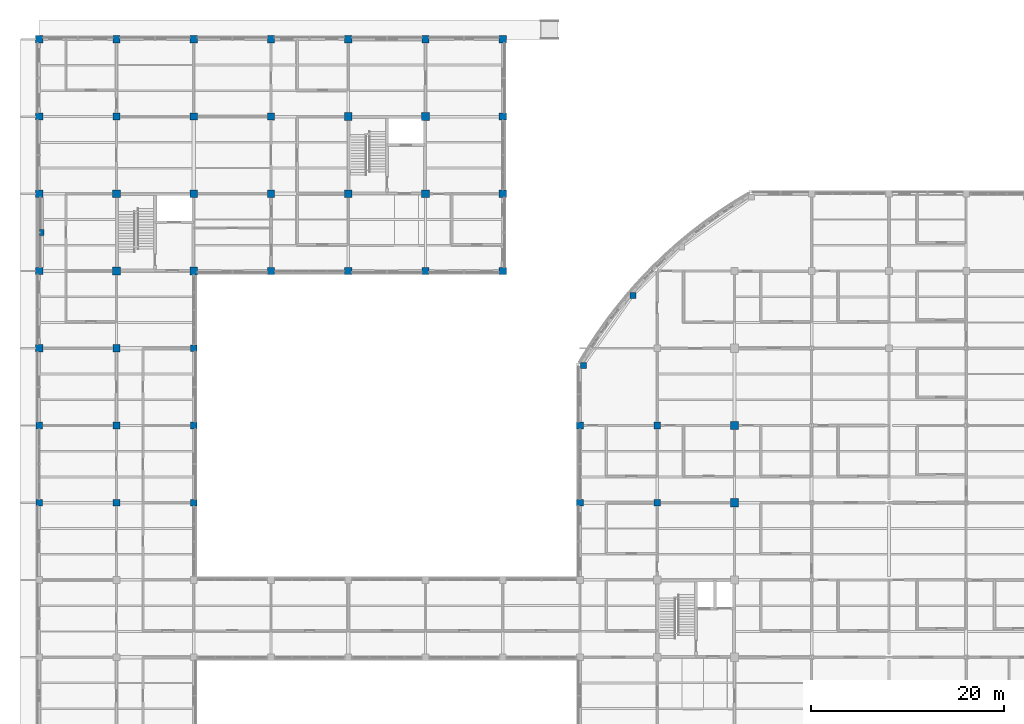
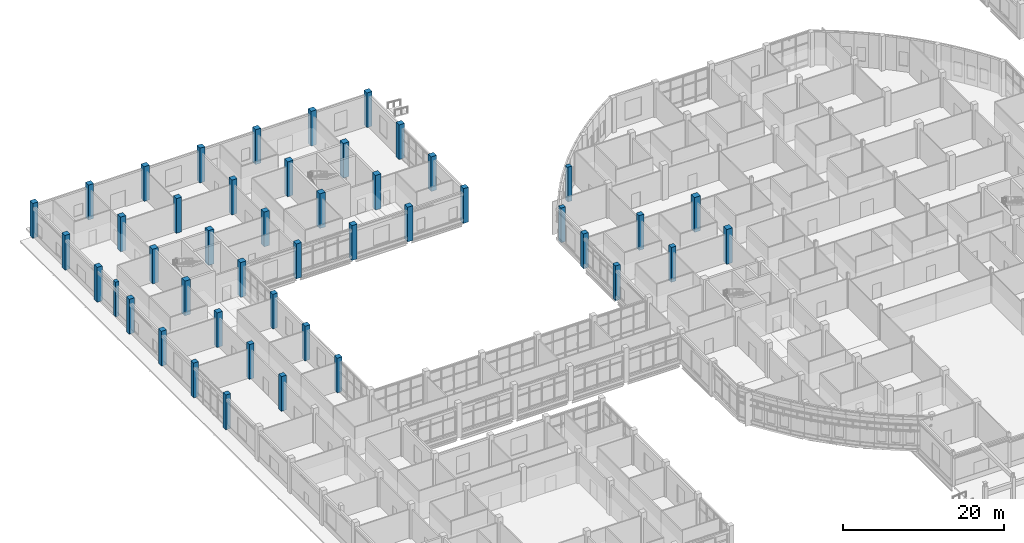
# One storey, part 5 of 105: 46 columns.
"""IFC4 building model written with IfcOpenShell, lengths in metres."""

from ifc_helpers import new_model, si_unit, derived_unit, direction, frame, origin, origin_2d, place, context, subcontext, project, spatial, rectangle, extrude, material, material_profile, profile_set, type_object, element, save


model = new_model("IFC4")

# Units and contexts
model_context = context("Model", 3, precision=1e-05, world=origin(), true_north=direction((0.0, 1.0)))
body_context = subcontext(model_context, "Body", "Model", "MODEL_VIEW")
ifc_project = project(units=[si_unit("LENGTHUNIT", "METRE"), si_unit("AREAUNIT", "SQUARE_METRE"), si_unit("VOLUMEUNIT", "CUBIC_METRE"), si_unit("PLANEANGLEUNIT", "RADIAN"), si_unit("MASSUNIT", "GRAM", prefix="KILO"), derived_unit("THERMALTRANSMITTANCEUNIT", [(si_unit("MASSUNIT", "GRAM", prefix="KILO"), 1), (si_unit("TIMEUNIT", "SECOND"), -3), (si_unit("THERMODYNAMICTEMPERATUREUNIT", "KELVIN"), -1)])], contexts=[model_context])

# Site, building, storey
site_placement = place(None, origin())
site = spatial("IfcSite", under=ifc_project, at=site_placement, CompositionType="ELEMENT")
building_placement = place(site_placement, origin())
building = spatial("IfcBuilding", under=site, at=building_placement, Name="Veyamyaing Civic Hall", CompositionType="ELEMENT")
storey_placement = place(building_placement, origin())
storey = spatial("IfcBuildingStorey", under=building, at=storey_placement, Name="L00", CompositionType="ELEMENT", Elevation=0.0)

# Columns
ifc_material = material(Name="Concrete C45/55", Category="concrete")
ifc_material_profile_1 = material_profile(ifc_material, rectangle(XDim=0.85009765625, YDim=0.85009765625, at=origin_2d()), Name="RC-COL-850X850")
ifc_profile_set_1 = profile_set([ifc_material_profile_1], Name="Concrete C45/55")
column_type_1 = type_object("IfcColumnType", Name="C-01", PredefinedType="COLUMN", material=ifc_profile_set_1)
for number, where, z_axis, x_axis, name in (
    (1, (72.0, 64.0, 0.0), (0.0, 0.0, 1.0), (1.0, 0.0, 0.0), "Column C-01 10-J L00"),
    (2, (72.0, 72.0, 0.0), (0.0, 0.0, 1.0), (1.0, 0.0, 0.0), "Column C-01 10-K L00"),
):
    element("IfcColumn", number, at=place(storey_placement, frame(where, z_axis=z_axis, x_axis=x_axis)), inside=storey, type_object=column_type_1, Name=name, PredefinedType="COLUMN", context=body_context, shape_type="SweptSolid", body=[
        extrude(rectangle(XDim=0.85009765625, YDim=0.85009765625, at=origin_2d()), origin(), (0.0, 0.0, 1.0), 5.280029296875),
    ])
ifc_material_profile_2 = material_profile(ifc_material, rectangle(XDim=0.800048828125, YDim=0.800048828125, at=origin_2d()), Name="RC-COL-800X800")
ifc_profile_set_2 = profile_set([ifc_material_profile_2], Name="Concrete C45/55")
column_type_2 = type_object("IfcColumnType", Name="C-02", PredefinedType="COLUMN", material=ifc_profile_set_2)
for number, where, z_axis, x_axis, name in (
    (3, (8.0, 88.0, 0.0), (0.0, 0.0, 1.0), (1.0, 0.0, 0.0), "Column C-02 2-M L00"),
    (4, (8.0, 96.0, 0.0), (0.0, 0.0, 1.0), (1.0, 0.0, 0.0), "Column C-02 2-N L00"),
    (5, (16.0, 88.0, 0.0), (0.0, 0.0, 1.0), (1.0, 0.0, 0.0), "Column C-02 3-M L00"),
    (6, (16.0, 96.0, 0.0), (0.0, 0.0, 1.0), (1.0, 0.0, 0.0), "Column C-02 3-N L00"),
    (7, (32.0, 96.0, 0.0), (0.0, 0.0, 1.0), (1.0, 0.0, 0.0), "Column C-02 5-N L00"),
    (8, (32.0, 104.0, 0.0), (0.0, 0.0, 1.0), (1.0, 0.0, 0.0), "Column C-02 5-P L00"),
    (9, (40.0, 96.0, 0.0), (0.0, 0.0, 1.0), (1.0, 0.0, 0.0), "Column C-02 6-N L00"),
    (10, (40.0, 104.0, 0.0), (0.0, 0.0, 1.0), (1.0, 0.0, 0.0), "Column C-02 6-P L00"),
):
    element("IfcColumn", number, at=place(storey_placement, frame(where, z_axis=z_axis, x_axis=x_axis)), inside=storey, type_object=column_type_2, Name=name, PredefinedType="COLUMN", context=body_context, shape_type="SweptSolid", body=[
        extrude(rectangle(XDim=0.800048828125, YDim=0.800048828125, at=origin_2d()), origin(), (0.0, 0.0, 1.0), 5.280029296875),
    ])
ifc_material_profile_3 = material_profile(ifc_material, rectangle(XDim=0.75, YDim=0.75, at=origin_2d()), Name="RC-COL-750X750")
ifc_profile_set_3 = profile_set([ifc_material_profile_3], Name="Concrete C45/55")
column_type_3 = type_object("IfcColumnType", Name="C-03", PredefinedType="COLUMN", material=ifc_profile_set_3)
for number, where, z_axis, x_axis, name in (
    (11, (0.0, 80.0, 0.0), (0.0, 0.0, 1.0), (1.0, 0.0, 0.0), "Column C-03 1-L L00"),
    (12, (0.0, 88.0, 0.0), (0.0, 0.0, 1.0), (1.0, 0.0, 0.0), "Column C-03 1-M L00"),
    (13, (0.0, 96.0, 0.0), (0.0, 0.0, 1.0), (1.0, 0.0, 0.0), "Column C-03 1-N L00"),
    (14, (0.0, 104.0, 0.0), (0.0, 0.0, 1.0), (1.0, 0.0, 0.0), "Column C-03 1-P L00"),
    (15, (0.0, 112.0, 0.0), (0.0, 0.0, 1.0), (1.0, 0.0, 0.0), "Column C-03 1-Q L00"),
    (16, (8.0, 80.0, 0.0), (0.0, 0.0, 1.0), (1.0, 0.0, 0.0), "Column C-03 2-L L00"),
    (17, (8.0, 104.0, 0.0), (0.0, 0.0, 1.0), (1.0, 0.0, 0.0), "Column C-03 2-P L00"),
    (18, (8.0, 112.0, 0.0), (0.0, 0.0, 1.0), (1.0, 0.0, 0.0), "Column C-03 2-Q L00"),
    (19, (16.0, 104.0, 0.0), (0.0, 0.0, 1.0), (1.0, 0.0, 0.0), "Column C-03 3-P L00"),
    (20, (16.0, 112.0, 0.0), (0.0, 0.0, 1.0), (1.0, 0.0, 0.0), "Column C-03 3-Q L00"),
    (21, (24.0, 88.0, 0.0), (0.0, 0.0, 1.0), (1.0, 0.0, 0.0), "Column C-03 4-M L00"),
    (22, (24.0, 96.0, 0.0), (0.0, 0.0, 1.0), (1.0, 0.0, 0.0), "Column C-03 4-N L00"),
    (23, (24.0, 104.0, 0.0), (0.0, 0.0, 1.0), (1.0, 0.0, 0.0), "Column C-03 4-P L00"),
    (24, (24.0, 112.0, 0.0), (0.0, 0.0, 1.0), (1.0, 0.0, 0.0), "Column C-03 4-Q L00"),
    (25, (32.0, 88.0, 0.0), (0.0, 0.0, 1.0), (1.0, 0.0, 0.0), "Column C-03 5-M L00"),
    (26, (32.0, 112.0, 0.0), (0.0, 0.0, 1.0), (1.0, 0.0, 0.0), "Column C-03 5-Q L00"),
    (27, (40.0, 88.0, 0.0), (0.0, 0.0, 1.0), (1.0, 0.0, 0.0), "Column C-03 6-M L00"),
    (28, (40.0, 112.0, 0.0), (0.0, 0.0, 1.0), (1.0, 0.0, 0.0), "Column C-03 6-Q L00"),
    (29, (48.0, 88.0, 0.0), (0.0, 0.0, 1.0), (1.0, 0.0, 0.0), "Column C-03 7-M L00"),
    (30, (48.0, 96.0, 0.0), (0.0, 0.0, 1.0), (1.0, 0.0, 0.0), "Column C-03 7-N L00"),
    (31, (48.0, 104.0, 0.0), (0.0, 0.0, 1.0), (1.0, 0.0, 0.0), "Column C-03 7-P L00"),
    (32, (48.0, 112.0, 0.0), (0.0, 0.0, 1.0), (1.0, 0.0, 0.0), "Column C-03 7-Q L00"),
):
    element("IfcColumn", number, at=place(storey_placement, frame(where, z_axis=z_axis, x_axis=x_axis)), inside=storey, type_object=column_type_3, Name=name, PredefinedType="COLUMN", context=body_context, shape_type="SweptSolid", body=[
        extrude(rectangle(XDim=0.75, YDim=0.75, at=origin_2d()), origin(), (0.0, 0.0, 1.0), 5.280029296875),
    ])
ifc_material_profile_4 = material_profile(ifc_material, rectangle(XDim=0.699951171875, YDim=0.699951171875, at=origin_2d()), Name="RC-COL-700X700")
ifc_profile_set_4 = profile_set([ifc_material_profile_4], Name="Concrete C45/55")
column_type_4 = type_object("IfcColumnType", Name="C-04", PredefinedType="COLUMN", material=ifc_profile_set_4)
for number, where, z_axis, x_axis, name in (
    (33, (0.0, 64.0, 0.0), (0.0, 0.0, 1.0), (1.0, 0.0, 0.0), "Column C-04 1-J L00"),
    (34, (0.0, 72.0, 0.0), (0.0, 0.0, 1.0), (1.0, 0.0, 0.0), "Column C-04 1-K L00"),
    (35, (8.0, 64.0, 0.0), (0.0, 0.0, 1.0), (1.0, 0.0, 0.0), "Column C-04 2-J L00"),
    (36, (8.0, 72.0, 0.0), (0.0, 0.0, 1.0), (1.0, 0.0, 0.0), "Column C-04 2-K L00"),
    (37, (16.0, 64.0, 0.0), (0.0, 0.0, 1.0), (1.0, 0.0, 0.0), "Column C-04 3-J L00"),
    (38, (16.0, 72.0, 0.0), (0.0, 0.0, 1.0), (1.0, 0.0, 0.0), "Column C-04 3-K L00"),
    (39, (16.0, 80.0, 0.0), (0.0, 0.0, 1.0), (1.0, 0.0, 0.0), "Column C-04 3-L L00"),
    (40, (56.0, 64.0, 0.0), (0.0, 0.0, 1.0), (1.0, 0.0, 0.0), "Column C-04 8-J L00"),
    (41, (56.0, 72.0, 0.0), (0.0, 0.0, 1.0), (1.0, 0.0, 0.0), "Column C-04 8-K L00"),
    (42, (64.0, 64.0, 0.0), (0.0, 0.0, 1.0), (1.0, 0.0, 0.0), "Column C-04 9-J L00"),
    (43, (64.0, 72.0, 0.0), (0.0, 0.0, 1.0), (1.0, 0.0, 0.0), "Column C-04 9-K L00"),
):
    element("IfcColumn", number, at=place(storey_placement, frame(where, z_axis=z_axis, x_axis=x_axis)), inside=storey, type_object=column_type_4, Name=name, PredefinedType="COLUMN", context=body_context, shape_type="SweptSolid", body=[
        extrude(rectangle(XDim=0.699951171875, YDim=0.699951171875, at=origin_2d()), origin(), (0.0, 0.0, 1.0), 5.280029296875),
    ])
ifc_material_profile_5 = material_profile(ifc_material, rectangle(XDim=0.60009765625, YDim=0.60009765625, at=origin_2d()), Name="RC-COL-600X600")
ifc_profile_set_5 = profile_set([ifc_material_profile_5], Name="Concrete C45/55")
column_type_5 = type_object("IfcColumnType", Name="C-06", PredefinedType="COLUMN", material=ifc_profile_set_5)
for number, where, z_axis, x_axis, name in (
    (44, (61.5048828125, 85.466552734375, 0.0), (0.0, 0.0, 1.0), (1.0, 0.0, 0.0), "Curved corner column C-06 ARC-NW-09 L00"),
    (45, (56.36376953125, 78.220703125, 0.0), (0.0, 0.0, 1.0), (1.0, 0.0, 0.0), "Curved corner column C-06 ARC-NW-14 L00"),
):
    element("IfcColumn", number, at=place(storey_placement, frame(where, z_axis=z_axis, x_axis=x_axis)), inside=storey, type_object=column_type_5, Name=name, PredefinedType="COLUMN", context=body_context, shape_type="SweptSolid", body=[
        extrude(rectangle(XDim=0.60009765625, YDim=0.60009765625, at=origin_2d()), origin(), (0.0, 0.0, 1.0), 5.280029296875),
    ])
ifc_material_profile_6 = material_profile(ifc_material, rectangle(XDim=0.449951171875, YDim=0.60009765625, at=origin_2d()), Name="RC-PIL-450X600")
ifc_profile_set_6 = profile_set([ifc_material_profile_6], Name="Concrete C45/55")
column_type_6 = type_object("IfcColumnType", Name="C-13", PredefinedType="PILASTER", material=ifc_profile_set_6)
column_placement = place(storey_placement, frame((0.25, 92.0, 0.0), z_axis=(0.0, 0.0, 1.0), x_axis=(1.0, 0.0, 0.0)))
element("IfcColumn", 46, at=column_placement, inside=storey, type_object=column_type_6, Name="Arcade pilaster C-13 PIL-W-11 L00", PredefinedType="PILASTER", context=body_context, shape_type="SweptSolid", body=[
    extrude(rectangle(XDim=0.449951171875, YDim=0.60009765625, at=origin_2d()), origin(), (0.0, 0.0, 1.0), 5.280029296875),
])

save(model, "model.ifc")
